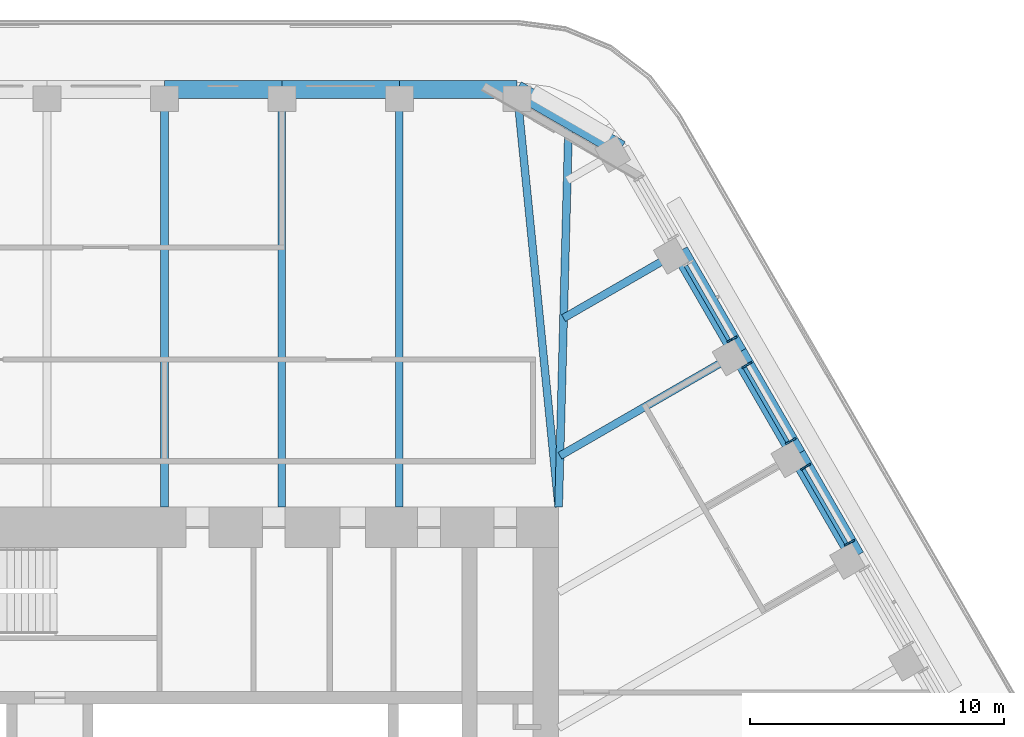
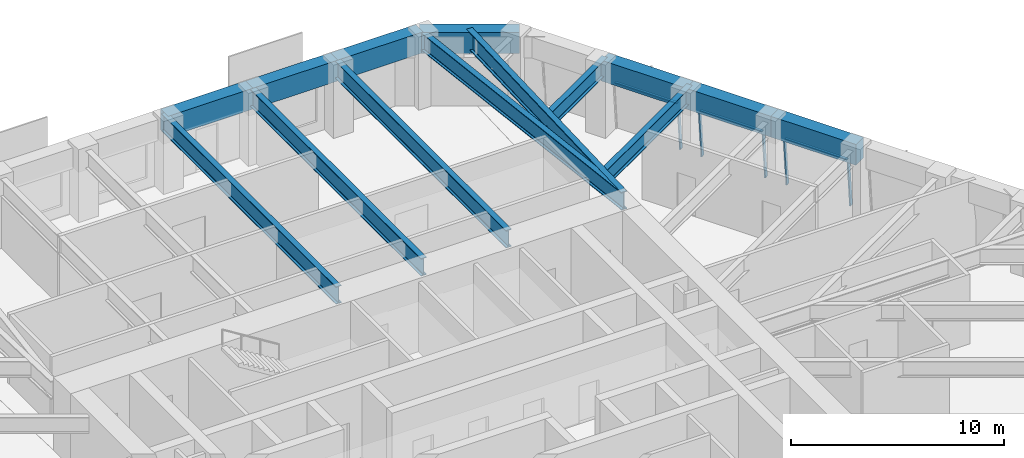
# One storey, part 11 of 20: 14 beams, 8 members, 3 elements without a shape of their own.
"""IFC4 building model written with IfcOpenShell, lengths in metres."""

from ifc_helpers import new_model, si_unit, direction, frame, origin, origin_2d, place, context, subcontext, project, spatial, rectangle, i_section, extrude, material, material_profile, profile_set, type_object, element, aggregate, save


model = new_model("IFC4")

# Units and contexts
model_context = context("Model", 3, precision=1e-05, world=origin(), true_north=direction((0.0, 1.0)))
body_context = subcontext(model_context, "Body", "Model", "MODEL_VIEW")
ifc_project = project(units=[si_unit("LENGTHUNIT", "METRE"), si_unit("AREAUNIT", "SQUARE_METRE"), si_unit("VOLUMEUNIT", "CUBIC_METRE"), si_unit("PLANEANGLEUNIT", "RADIAN"), si_unit("MASSUNIT", "GRAM", prefix="KILO")], contexts=[model_context])

# Site, building, storey
site_placement = place(None, origin())
site = spatial("IfcSite", under=ifc_project, at=site_placement, CompositionType="ELEMENT")
building_placement = place(site_placement, origin())
building = spatial("IfcBuilding", under=site, at=building_placement, Name="Tarfa Lantern Tower", CompositionType="ELEMENT")
storey_placement = place(building_placement, frame((0.0, 0.0, 278.5)))
storey = spatial("IfcBuildingStorey", under=building, at=storey_placement, Name="L63", CompositionType="ELEMENT", Elevation=278.5)

# Curtain wall, members
ifc_material_1 = material(Name="Aluminium framed curtain wall", Category="aluminium")
curtain_wall_type = type_object("IfcCurtainWallType", Name="CW3 CANTED GLAZING HIGH ZONE 2800", PredefinedType="USERDEFINED", material=ifc_material_1)
curtain_wall_1_placement = place(storey_placement, origin())
curtain_wall_1 = element("IfcCurtainWall", 1, at=curtain_wall_1_placement, inside=storey, type_object=curtain_wall_type, Name="CW3 NE L63", ObjectType="CURTAIN WALL", PredefinedType="USERDEFINED")
ifc_material_2 = material(Name="Aluminium mullion", Category="aluminium")
ifc_material_profile_1 = material_profile(ifc_material_2, rectangle(XDim=0.06494140625, YDim=0.199951171875, at=origin_2d()), Name="AL MULLION 65x200")
ifc_profile_set_1 = profile_set([ifc_material_profile_1], Name="Aluminium mullion")
member_type_1 = type_object("IfcMemberType", Name="CWM1 MULLION 65x200", PredefinedType="MULLION", material=ifc_profile_set_1)
member_1_placement = place(storey_placement, frame((27.04638671875, 10.954345703125, 0.0), z_axis=(-0.077032386753, -0.044465143199, 0.996036576854), x_axis=(0.499919672301, -0.866071776036, 0.0)))
member_1 = element("IfcMember", 2, at=member_1_placement, type_object=member_type_1, Name="CW3 mullion 1", PredefinedType="MULLION", context=body_context, shape_type="SweptSolid", body=[
    extrude(rectangle(XDim=0.06494140625, YDim=0.199951171875, at=origin_2d()), origin(), (0.0, 0.0, 1.0), 2.811279296875),
])
member_2_placement = place(storey_placement, frame((25.3193359375, 13.945556640625, 0.0), z_axis=(-0.077032386753, -0.044465143199, 0.996036576854), x_axis=(0.499919672301, -0.866071776036, 0.0)))
member_2 = element("IfcMember", 3, at=member_2_placement, type_object=member_type_1, Name="CW3 mullion 2", PredefinedType="MULLION", context=body_context, shape_type="SweptSolid", body=[
    extrude(rectangle(XDim=0.06494140625, YDim=0.199951171875, at=origin_2d()), origin(), (0.0, 0.0, 1.0), 2.811279296875),
])

curtain_wall_2_placement = place(storey_placement, origin())
curtain_wall_2 = element("IfcCurtainWall", 4, at=curtain_wall_2_placement, inside=storey, type_object=curtain_wall_type, Name="CW3 NE L63", ObjectType="CURTAIN WALL", PredefinedType="USERDEFINED")
member_3_placement = place(storey_placement, frame((24.73681640625, 14.954345703125, 0.0), z_axis=(-0.077032386753, -0.044465143199, 0.996036576854), x_axis=(0.499919672301, -0.866071776036, 0.0)))
member_3 = element("IfcMember", 5, at=member_3_placement, type_object=member_type_1, Name="CW3 mullion 1", PredefinedType="MULLION", context=body_context, shape_type="SweptSolid", body=[
    extrude(rectangle(XDim=0.06494140625, YDim=0.199951171875, at=origin_2d()), origin(), (0.0, 0.0, 1.0), 2.811279296875),
])
member_4_placement = place(storey_placement, frame((23.010009765625, 17.945556640625, 0.0), z_axis=(-0.077032386753, -0.044465143199, 0.996036576854), x_axis=(0.499919672301, -0.866071776036, 0.0)))
member_4 = element("IfcMember", 6, at=member_4_placement, type_object=member_type_1, Name="CW3 mullion 2", PredefinedType="MULLION", context=body_context, shape_type="SweptSolid", body=[
    extrude(rectangle(XDim=0.06494140625, YDim=0.199951171875, at=origin_2d()), origin(), (0.0, 0.0, 1.0), 2.811279296875),
])

# Curtain wall, member
curtain_wall_3_placement = place(storey_placement, origin())
curtain_wall_3 = element("IfcCurtainWall", 7, at=curtain_wall_3_placement, inside=storey, type_object=curtain_wall_type, Name="CW3 NE L63", ObjectType="CURTAIN WALL", PredefinedType="USERDEFINED")
member_5_placement = place(storey_placement, frame((22.427490234375, 18.954345703125, 0.0), z_axis=(-0.077032386753, -0.044465143199, 0.996036576854), x_axis=(0.499919672301, -0.866071776036, 0.0)))
member_5 = element("IfcMember", 8, at=member_5_placement, type_object=member_type_1, Name="CW3 mullion 1", PredefinedType="MULLION", context=body_context, shape_type="SweptSolid", body=[
    extrude(rectangle(XDim=0.06494140625, YDim=0.199951171875, at=origin_2d()), origin(), (0.0, 0.0, 1.0), 2.811279296875),
])

# Member
ifc_material_3 = material(Name="Aluminium transom", Category="aluminium")
ifc_material_profile_2 = material_profile(ifc_material_3, rectangle(XDim=0.14990234375, YDim=0.06494140625, at=origin_2d()), Name="AL TRANSOM 150x65")
ifc_profile_set_2 = profile_set([ifc_material_profile_2], Name="Aluminium transom")
member_type_2 = type_object("IfcMemberType", Name="CWT1 TRANSOM 150x65", PredefinedType="USERDEFINED", material=ifc_profile_set_2)
member_6_placement = place(storey_placement, frame((26.816162109375, 10.859130859375, 2.767578125), z_axis=(-0.500036330578, 0.866004427299, 0.0), x_axis=(-0.866004427299, -0.500036330578, 0.0)))
member_6 = element("IfcMember", 9, at=member_6_placement, type_object=member_type_2, Name="CW3 transom 1.2", ObjectType="TRANSOM", PredefinedType="USERDEFINED", context=body_context, shape_type="SweptSolid", body=[
    extrude(rectangle(XDim=0.14990234375, YDim=0.06494140625, at=origin_2d()), origin(), (0.0, 0.0, 1.0), 3.388916015625),
])

aggregate(curtain_wall_1, [member_1, member_2, member_6])

member_7_placement = place(storey_placement, frame((24.506591796875, 14.859130859375, 2.767578125), z_axis=(-0.499982299553, 0.866035622901, 0.0), x_axis=(-0.866035622901, -0.499982299553, 0.0)))
member_7 = element("IfcMember", 10, at=member_7_placement, type_object=member_type_2, Name="CW3 transom 1.2", ObjectType="TRANSOM", PredefinedType="USERDEFINED", context=body_context, shape_type="SweptSolid", body=[
    extrude(rectangle(XDim=0.14990234375, YDim=0.06494140625, at=origin_2d()), origin(), (0.0, 0.0, 1.0), 3.388671875),
])

aggregate(curtain_wall_2, [member_3, member_4, member_7])

member_8_placement = place(storey_placement, frame((22.197265625, 18.859130859375, 2.767578125), z_axis=(-0.499982299553, 0.866035622901, 0.0), x_axis=(-0.866035622901, -0.499982299553, 0.0)))
member_8 = element("IfcMember", 11, at=member_8_placement, type_object=member_type_2, Name="CW3 transom 1.2", ObjectType="TRANSOM", PredefinedType="USERDEFINED", context=body_context, shape_type="SweptSolid", body=[
    extrude(rectangle(XDim=0.14990234375, YDim=0.06494140625, at=origin_2d()), origin(), (0.0, 0.0, 1.0), 3.388671875),
])

aggregate(curtain_wall_3, [member_5, member_8])

# Beams
ifc_material_4 = material(Name="Concrete C80/95", Category="concrete")
ifc_material_profile_3 = material_profile(ifc_material_4, rectangle(XDim=0.699951171875, YDim=1.199951171875, at=origin_2d()), Name="RC 700x1200")
ifc_profile_set_3 = profile_set([ifc_material_profile_3], Name="Concrete C80/95")
beam_type_1 = type_object("IfcBeamType", Name="EB3 RC 700x1200", PredefinedType="SPANDREL", material=ifc_profile_set_3)
beam_1_placement = place(storey_placement, frame((27.181640625, 10.360107421875, 3.39990234375), z_axis=(-0.499987836815, 0.866032426089, 0.0), x_axis=(-0.866032426089, -0.499987836815, 0.0)))
element("IfcBeam", 12, at=beam_1_placement, inside=storey, type_object=beam_type_1, Name="Edge beam NE2", PredefinedType="SPANDREL", context=body_context, shape_type="SweptSolid", body=[
    extrude(rectangle(XDim=0.699951171875, YDim=1.199951171875, at=origin_2d()), origin(), (0.0, 0.0, 1.0), 4.61865234375),
])
beam_2_placement = place(storey_placement, frame((24.872314453125, 14.360107421875, 3.39990234375), z_axis=(-0.500027479704, 0.866009537788, 0.0), x_axis=(-0.866009537788, -0.500027479704, 0.0)))
element("IfcBeam", 13, at=beam_2_placement, inside=storey, type_object=beam_type_1, Name="Edge beam NE3", PredefinedType="SPANDREL", context=body_context, shape_type="SweptSolid", body=[
    extrude(rectangle(XDim=0.699951171875, YDim=1.199951171875, at=origin_2d()), origin(), (0.0, 0.0, 1.0), 4.618896484375),
])
beam_3_placement = place(storey_placement, frame((22.562744140625, 18.360107421875, 3.39990234375), z_axis=(-0.499987836815, 0.866032426089, 0.0), x_axis=(-0.866032426089, -0.499987836815, 0.0)))
element("IfcBeam", 14, at=beam_3_placement, inside=storey, type_object=beam_type_1, Name="Edge beam NE4", PredefinedType="SPANDREL", context=body_context, shape_type="SweptSolid", body=[
    extrude(rectangle(XDim=0.699951171875, YDim=1.199951171875, at=origin_2d()), origin(), (0.0, 0.0, 1.0), 4.61865234375),
])
beam_4_placement = place(storey_placement, frame((17.944091796875, 26.360107421875, 3.39990234375), z_axis=(-0.866038294681, 0.499977671647, 0.0), x_axis=(-0.499977671647, -0.866038294681, 0.0)))
element("IfcBeam", 15, at=beam_4_placement, inside=storey, type_object=beam_type_1, Name="Edge beam NE6", PredefinedType="SPANDREL", context=body_context, shape_type="SweptSolid", body=[
    extrude(rectangle(XDim=0.699951171875, YDim=1.199951171875, at=origin_2d()), origin(), (0.0, 0.0, 1.0), 4.719970703125),
])
beam_5_placement = place(storey_placement, frame((13.8564453125, 28.719970703125, 3.39990234375), z_axis=(-1.0, 0.0, 0.0), x_axis=(0.0, -1.0, 0.0)))
element("IfcBeam", 16, at=beam_5_placement, inside=storey, type_object=beam_type_1, Name="Edge beam N0", PredefinedType="SPANDREL", context=body_context, shape_type="SweptSolid", body=[
    extrude(rectangle(XDim=0.699951171875, YDim=1.199951171875, at=origin_2d()), origin(), (0.0, 0.0, 1.0), 4.618896484375),
])
beam_6_placement = place(storey_placement, frame((9.237548828125, 28.719970703125, 3.39990234375), z_axis=(-1.0, 0.0, 0.0), x_axis=(0.0, -1.0, 0.0)))
element("IfcBeam", 17, at=beam_6_placement, inside=storey, type_object=beam_type_1, Name="Edge beam N1", PredefinedType="SPANDREL", context=body_context, shape_type="SweptSolid", body=[
    extrude(rectangle(XDim=0.699951171875, YDim=1.199951171875, at=origin_2d()), origin(), (0.0, 0.0, 1.0), 4.61865234375),
])
beam_7_placement = place(storey_placement, frame((4.618896484375, 28.719970703125, 3.39990234375), z_axis=(-1.0, 0.0, 0.0), x_axis=(0.0, -1.0, 0.0)))
element("IfcBeam", 18, at=beam_7_placement, inside=storey, type_object=beam_type_1, Name="Edge beam N2", PredefinedType="SPANDREL", context=body_context, shape_type="SweptSolid", body=[
    extrude(rectangle(XDim=0.699951171875, YDim=1.199951171875, at=origin_2d()), origin(), (0.0, 0.0, 1.0), 4.618896484375),
])
ifc_material_5 = material(Name="Steel S460M", Category="steel")
ifc_material_profile_4 = material_profile(ifc_material_5, i_section(OverallWidth=0.302001953125, OverallDepth=1.008056640625, WebThickness=0.02099609375, FlangeThickness=0.0400390625, FilletRadius=0.030029296875, at=origin_2d()), Name="UB1016x305x349")
ifc_profile_set_4 = profile_set([ifc_material_profile_4], Name="Steel S460M")
beam_type_2 = type_object("IfcBeamType", Name="UB1016x305x349", PredefinedType="BEAM", material=ifc_profile_set_4)
beam_8_placement = place(storey_placement, frame((13.8564453125, 28.719970703125, 3.495849609375), z_axis=(0.099597466746, -0.995027810977, 0.0), x_axis=(0.995027810977, 0.099597466746, 0.0)))
element("IfcBeam", 19, at=beam_8_placement, inside=storey, type_object=beam_type_2, Name="Floor beam N0", PredefinedType="BEAM", context=body_context, shape_type="SweptSolid", body=[
    extrude(i_section(OverallWidth=0.302001953125, OverallDepth=1.008056640625, WebThickness=0.02099609375, FlangeThickness=0.0400390625, FilletRadius=0.030029296875, at=origin_2d()), origin(), (0.0, 0.0, 1.0), 16.501953125),
])
for number, where, z_axis, x_axis, name in (
    (20, (9.237548828125, 28.719970703125, 3.495849609375), (0.0, -1.0, 0.0), (1.0, 0.0, 0.0), "Floor beam N1"),
    (21, (4.618896484375, 28.719970703125, 3.495849609375), (0.0, -1.0, 0.0), (1.0, 0.0, 0.0), "Floor beam N2"),
    (22, (0.0, 28.719970703125, 3.495849609375), (0.0, -1.0, 0.0), (1.0, 0.0, 0.0), "Floor beam N3"),
):
    element("IfcBeam", number, at=place(storey_placement, frame(where, z_axis=z_axis, x_axis=x_axis)), inside=storey, type_object=beam_type_2, Name=name, PredefinedType="BEAM", context=body_context, shape_type="SweptSolid", body=[
        extrude(i_section(OverallWidth=0.302001953125, OverallDepth=1.008056640625, WebThickness=0.02099609375, FlangeThickness=0.0400390625, FilletRadius=0.030029296875, at=origin_2d()), origin(), (0.0, 0.0, 1.0), 16.419921875),
    ])
ifc_material_profile_5 = material_profile(ifc_material_5, i_section(OverallWidth=0.30859375, OverallDepth=1.036376953125, WebThickness=0.030029296875, FlangeThickness=0.05419921875, FilletRadius=0.030029296875, at=origin_2d()), Name="UB1016x305x487")
ifc_profile_set_5 = profile_set([ifc_material_profile_5], Name="Steel S460M")
beam_type_3 = type_object("IfcBeamType", Name="UB1016x305x487", PredefinedType="BEAM", material=ifc_profile_set_5)
beam_9_placement = place(storey_placement, frame((15.5, 12.300048828125, 3.48193359375), z_axis=(0.026247301989, 0.999655480222, 0.0), x_axis=(-0.999655480222, 0.026247301989, 0.0)))
element("IfcBeam", 23, at=beam_9_placement, inside=storey, type_object=beam_type_3, Name="Hip girder NE", PredefinedType="BEAM", context=body_context, shape_type="SweptSolid", body=[
    extrude(i_section(OverallWidth=0.30859375, OverallDepth=1.036376953125, WebThickness=0.030029296875, FlangeThickness=0.05419921875, FilletRadius=0.030029296875, at=origin_2d()), origin(), (0.0, 0.0, 1.0), 15.245361328125),
])
ifc_material_profile_6 = material_profile(ifc_material_5, i_section(OverallWidth=0.305419921875, OverallDepth=0.91845703125, WebThickness=0.017333984375, FlangeThickness=0.02783203125, FilletRadius=0.01904296875, at=origin_2d()), Name="UB914x305x253")
ifc_profile_set_6 = profile_set([ifc_material_profile_6], Name="Steel S460M")
beam_type_4 = type_object("IfcBeamType", Name="UB914x305x253", PredefinedType="BEAM", material=ifc_profile_set_6)
beam_10_placement = place(storey_placement, frame((22.562744140625, 18.360107421875, 3.540771484375), z_axis=(-0.866010787764, -0.500025314835, 0.0), x_axis=(0.500025314835, -0.866010787764, 0.0)))
element("IfcBeam", 24, at=beam_10_placement, inside=storey, type_object=beam_type_4, Name="Floor beam NE4", PredefinedType="BEAM", context=body_context, shape_type="SweptSolid", body=[
    extrude(i_section(OverallWidth=0.305419921875, OverallDepth=0.91845703125, WebThickness=0.017333984375, FlangeThickness=0.02783203125, FilletRadius=0.01904296875, at=origin_2d()), origin(), (0.0, 0.0, 1.0), 8.09423828125),
])
beam_11_placement = place(storey_placement, frame((20.25341796875, 22.360107421875, 3.540771484375), z_axis=(-0.86601951648, -0.500010196972, 0.0), x_axis=(0.500010196972, -0.86601951648, 0.0)))
element("IfcBeam", 25, at=beam_11_placement, inside=storey, type_object=beam_type_4, Name="Floor beam NE5", PredefinedType="BEAM", context=body_context, shape_type="SweptSolid", body=[
    extrude(i_section(OverallWidth=0.305419921875, OverallDepth=0.91845703125, WebThickness=0.017333984375, FlangeThickness=0.02783203125, FilletRadius=0.01904296875, at=origin_2d()), origin(), (0.0, 0.0, 1.0), 5.263671875),
])

save(model, "model.ifc")
